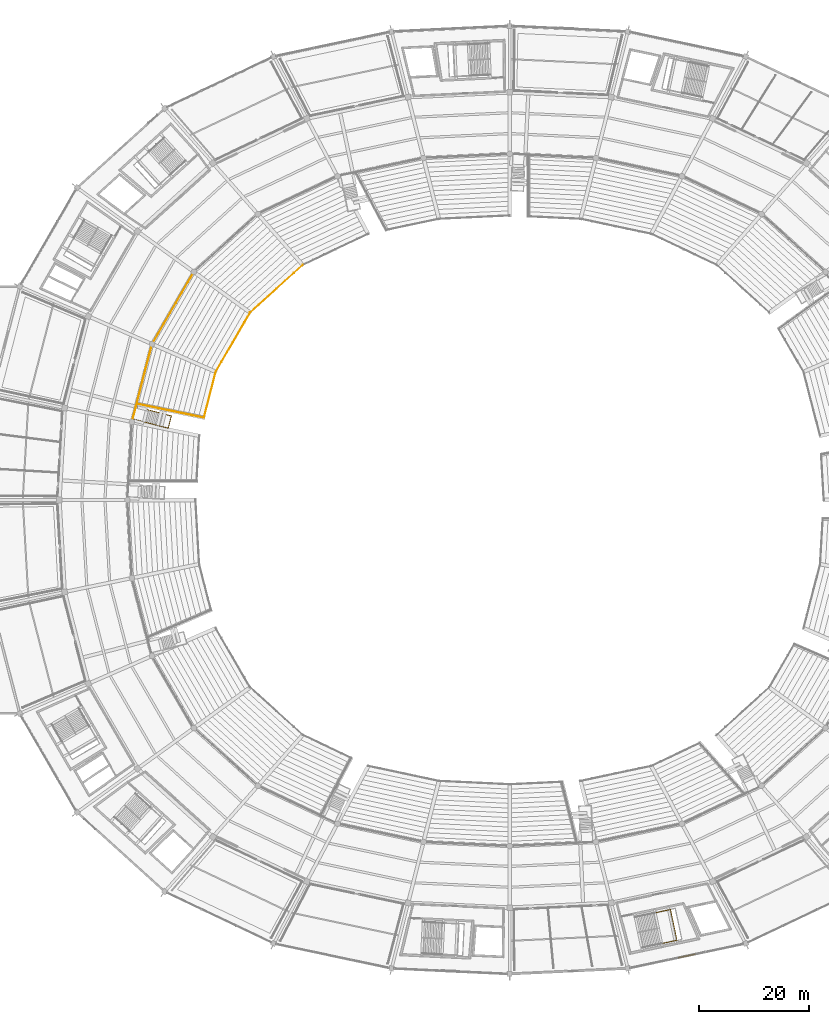
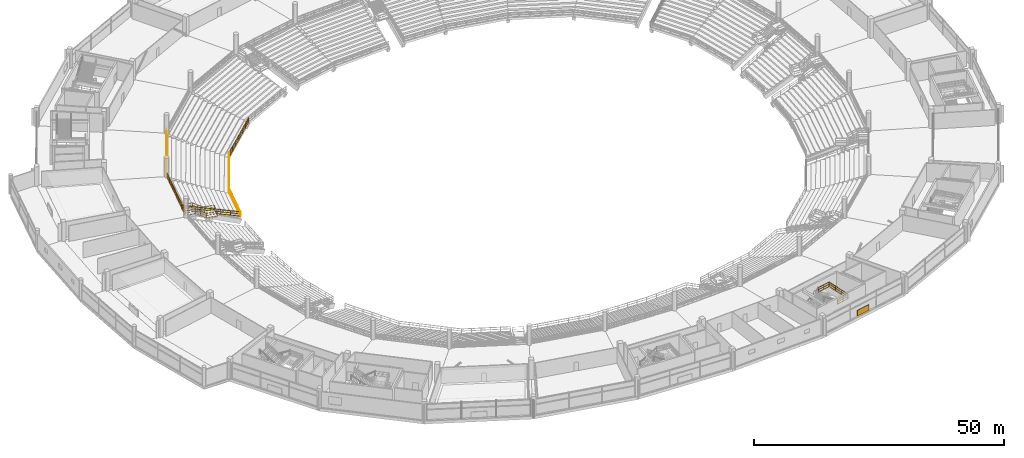
# One storey, part 147 of 156: 8 railings, 1 shading device.
"""IFC4 building model written with IfcOpenShell, lengths in metres."""

from ifc_helpers import new_model, si_unit, direction, frame, origin, origin_2d, place, context, subcontext, project, spatial, rectangle, extrude, material, type_object, element, save


model = new_model("IFC4")

# Units and contexts
model_context = context("Model", 3, precision=1e-05, world=origin(), true_north=direction((0.0, 1.0)))
body_context = subcontext(model_context, "Body", "Model", "MODEL_VIEW")
ifc_project = project(units=[si_unit("LENGTHUNIT", "METRE"), si_unit("AREAUNIT", "SQUARE_METRE"), si_unit("VOLUMEUNIT", "CUBIC_METRE"), si_unit("PLANEANGLEUNIT", "RADIAN"), si_unit("MASSUNIT", "GRAM", prefix="KILO")], contexts=[model_context])

# Site, building, storey
site_placement = place(None, origin())
site = spatial("IfcSite", under=ifc_project, at=site_placement, CompositionType="ELEMENT")
building_placement = place(site_placement, origin())
building = spatial("IfcBuilding", under=site, at=building_placement, Name="Kazemori Nagisa Stadium", CompositionType="ELEMENT")
storey_placement = place(building_placement, frame((0.0, 0.0, 5.780029296875)))
storey = spatial("IfcBuildingStorey", under=building, at=storey_placement, Name="L01", CompositionType="ELEMENT", Elevation=5.780029296875)

# Shading device
ifc_material_1 = material(Name="Aluminium 6063-T5 anodised", Category="aluminium")
shading_device_type = type_object("IfcShadingDeviceType", Name="Louvre_LV01", PredefinedType="JALOUSIE", material=ifc_material_1)
shading_device_placement = place(storey_placement, frame((155.1162109375, 19.2744140625, -0.010009765625), z_axis=(0.0, 0.0, 1.0), x_axis=(0.978344955407, 0.206981033502, 0.0)))
element("IfcShadingDevice", 1, at=shading_device_placement, inside=storey, type_object=shading_device_type, Name="Concourse ventilation louvre L01-B23", PredefinedType="JALOUSIE", context=body_context, shape_type="SweptSolid", body=[
    extrude(rectangle(XDim=3.199951171875, YDim=0.179931640625, at=origin_2d()), origin(), (0.0, 0.0, 1.0), 1.39990234375),
])

# Railings
ifc_material_2 = material(Name="Laminated safety glass and stainless steel SUS304", Category="steel")
railing_type_1 = type_object("IfcRailingType", Name="Rail_BAL", PredefinedType="BALUSTRADE", material=ifc_material_2)
railing_1_placement = place(storey_placement, frame((65.698486328125, 143.367431640625, 0.0)))
element("IfcRailing", 2, at=railing_1_placement, inside=storey, type_object=railing_type_1, Name="Concourse bowl balustrade L01-B12", PredefinedType="BALUSTRADE", context=body_context, shape_type="SweptSolid", body=[
    extrude(rectangle(XDim=0.050048828125, YDim=0.050048828125, at=origin_2d()), frame((0.0, 0.0, 1.09521484375), z_axis=(-0.501613453924, -0.865091869597, 0.0), x_axis=(0.865091869597, -0.501613453924, 0.0)), (0.0, 0.0, 1.0), 15.1201171875),
    extrude(rectangle(XDim=0.03759765625, YDim=0.03759765625, at=origin_2d()), frame((0.0, 0.0, 0.58251953125), z_axis=(-0.501613453924, -0.865091869597, 0.0), x_axis=(0.865091869597, -0.501613453924, 0.0)), (0.0, 0.0, 1.0), 15.1201171875),
    extrude(rectangle(XDim=0.03759765625, YDim=0.03759765625, at=origin_2d()), frame((0.0, 0.0, 0.02490234375), z_axis=(-0.501613453924, -0.865091869597, 0.0), x_axis=(0.865091869597, -0.501613453924, 0.0)), (0.0, 0.0, 1.0), 15.1201171875),
    extrude(rectangle(XDim=0.044921875, YDim=0.044921875, at=origin_2d()), origin(), (0.0, 0.0, 1.0), 1.070068359375),
    extrude(rectangle(XDim=0.044921875, YDim=0.044921875, at=origin_2d()), frame((-1.08349609375, -1.86865234375, 0.0)), (0.0, 0.0, 1.0), 1.070068359375),
    extrude(rectangle(XDim=0.044921875, YDim=0.044921875, at=origin_2d()), frame((-2.1669921875, -3.7373046875, 0.0)), (0.0, 0.0, 1.0), 1.070068359375),
    extrude(rectangle(XDim=0.044921875, YDim=0.044921875, at=origin_2d()), frame((-3.25048828125, -5.60595703125, 0.0)), (0.0, 0.0, 1.0), 1.070068359375),
    extrude(rectangle(XDim=0.044921875, YDim=0.044921875, at=origin_2d()), frame((-4.333984375, -7.474365234375, 0.0)), (0.0, 0.0, 1.0), 1.070068359375),
    extrude(rectangle(XDim=0.044921875, YDim=0.044921875, at=origin_2d()), frame((-5.41748046875, -9.343017578125, 0.0)), (0.0, 0.0, 1.0), 1.070068359375),
    extrude(rectangle(XDim=0.044921875, YDim=0.044921875, at=origin_2d()), frame((-6.5009765625, -11.211669921875, 0.0)), (0.0, 0.0, 1.0), 1.070068359375),
    extrude(rectangle(XDim=0.044921875, YDim=0.044921875, at=origin_2d()), frame((-7.58447265625, -13.080322265625, 0.0)), (0.0, 0.0, 1.0), 1.070068359375),
])
railing_2_placement = place(storey_placement, frame((58.114013671875, 130.287109375, 0.0)))
element("IfcRailing", 3, at=railing_2_placement, inside=storey, type_object=railing_type_1, Name="Concourse bowl balustrade L01-B13", PredefinedType="BALUSTRADE", context=body_context, shape_type="SweptSolid", body=[
    extrude(rectangle(XDim=0.050048828125, YDim=0.050048828125, at=origin_2d()), frame((0.0, 0.0, 1.09521484375), z_axis=(-0.249966896973, -0.968254383113, 0.0), x_axis=(0.968254383113, -0.249966896973, 0.0)), (0.0, 0.0, 1.0), 14.0400390625),
    extrude(rectangle(XDim=0.03759765625, YDim=0.03759765625, at=origin_2d()), frame((0.0, 0.0, 0.58251953125), z_axis=(-0.249966896973, -0.968254383113, 0.0), x_axis=(0.968254383113, -0.249966896973, 0.0)), (0.0, 0.0, 1.0), 14.0400390625),
    extrude(rectangle(XDim=0.03759765625, YDim=0.03759765625, at=origin_2d()), frame((0.0, 0.0, 0.02490234375), z_axis=(-0.249966896973, -0.968254383113, 0.0), x_axis=(0.968254383113, -0.249966896973, 0.0)), (0.0, 0.0, 1.0), 14.0400390625),
    extrude(rectangle(XDim=0.044921875, YDim=0.044921875, at=origin_2d()), origin(), (0.0, 0.0, 1.0), 1.070068359375),
    extrude(rectangle(XDim=0.044921875, YDim=0.044921875, at=origin_2d()), frame((-0.5849609375, -2.265625, 0.0)), (0.0, 0.0, 1.0), 1.070068359375),
    extrude(rectangle(XDim=0.044921875, YDim=0.044921875, at=origin_2d()), frame((-1.169921875, -4.531494140625, 0.0)), (0.0, 0.0, 1.0), 1.070068359375),
    extrude(rectangle(XDim=0.044921875, YDim=0.044921875, at=origin_2d()), frame((-1.7548828125, -6.797119140625, 0.0)), (0.0, 0.0, 1.0), 1.070068359375),
    extrude(rectangle(XDim=0.044921875, YDim=0.044921875, at=origin_2d()), frame((-2.339599609375, -9.062744140625, 0.0)), (0.0, 0.0, 1.0), 1.070068359375),
    extrude(rectangle(XDim=0.044921875, YDim=0.044921875, at=origin_2d()), frame((-2.924560546875, -11.32861328125, 0.0)), (0.0, 0.0, 1.0), 1.070068359375),
    extrude(rectangle(XDim=0.044921875, YDim=0.044921875, at=origin_2d()), frame((-3.509521484375, -13.59423828125, 0.0)), (0.0, 0.0, 1.0), 1.070068359375),
])
ifc_material_3 = material(Name="Galvanised powder-coated steel", Category="steel")
railing_type_2 = type_object("IfcRailingType", Name="Rail_GUARD", PredefinedType="GUARDRAIL", material=ifc_material_3)
railing_3_placement = place(storey_placement, frame((149.372314453125, 27.11376953125, 2.3798828125)))
element("IfcRailing", 4, at=railing_3_placement, inside=storey, type_object=railing_type_2, Name="Stair landing guard ST06-L01", PredefinedType="GUARDRAIL", context=body_context, shape_type="SweptSolid", body=[
    extrude(rectangle(XDim=0.050048828125, YDim=0.050048828125, at=origin_2d()), frame((0.0, 0.0, 1.09521484375), z_axis=(0.978349369565, 0.206960167837, 0.0), x_axis=(-0.206960167837, 0.978349369565, 0.0)), (0.0, 0.0, 1.0), 2.85009765625),
    extrude(rectangle(XDim=0.03759765625, YDim=0.03759765625, at=origin_2d()), frame((0.0, 0.0, 0.58251953125), z_axis=(0.978349369565, 0.206960167837, 0.0), x_axis=(-0.206960167837, 0.978349369565, 0.0)), (0.0, 0.0, 1.0), 2.85009765625),
    extrude(rectangle(XDim=0.03759765625, YDim=0.03759765625, at=origin_2d()), frame((0.0, 0.0, 0.02490234375), z_axis=(0.978349369565, 0.206960167837, 0.0), x_axis=(-0.206960167837, 0.978349369565, 0.0)), (0.0, 0.0, 1.0), 2.85009765625),
    extrude(rectangle(XDim=0.050048828125, YDim=0.050048828125, at=origin_2d()), frame((2.788330078125, 0.58984375, 1.09521484375), z_axis=(0.206968840618, -0.978347534884, 0.0), x_axis=(0.978347534884, 0.206968840618, 0.0)), (0.0, 0.0, 1.0), 5.699951171875),
    extrude(rectangle(XDim=0.03759765625, YDim=0.03759765625, at=origin_2d()), frame((2.788330078125, 0.58984375, 0.58251953125), z_axis=(0.206968840618, -0.978347534884, 0.0), x_axis=(0.978347534884, 0.206968840618, 0.0)), (0.0, 0.0, 1.0), 5.699951171875),
    extrude(rectangle(XDim=0.03759765625, YDim=0.03759765625, at=origin_2d()), frame((2.788330078125, 0.58984375, 0.02490234375), z_axis=(0.206968840618, -0.978347534884, 0.0), x_axis=(0.978347534884, 0.206968840618, 0.0)), (0.0, 0.0, 1.0), 5.699951171875),
    extrude(rectangle(XDim=0.050048828125, YDim=0.050048828125, at=origin_2d()), frame((3.968017578125, -4.986572265625, 1.09521484375), z_axis=(-0.978349369565, -0.206960167837, 0.0), x_axis=(0.206960167837, -0.978349369565, 0.0)), (0.0, 0.0, 1.0), 2.85009765625),
    extrude(rectangle(XDim=0.03759765625, YDim=0.03759765625, at=origin_2d()), frame((3.968017578125, -4.986572265625, 0.58251953125), z_axis=(-0.978349369565, -0.206960167837, 0.0), x_axis=(0.206960167837, -0.978349369565, 0.0)), (0.0, 0.0, 1.0), 2.85009765625),
    extrude(rectangle(XDim=0.03759765625, YDim=0.03759765625, at=origin_2d()), frame((3.968017578125, -4.986572265625, 0.02490234375), z_axis=(-0.978349369565, -0.206960167837, 0.0), x_axis=(0.206960167837, -0.978349369565, 0.0)), (0.0, 0.0, 1.0), 2.85009765625),
    extrude(rectangle(XDim=0.044921875, YDim=0.044921875, at=origin_2d()), origin(), (0.0, 0.0, 1.0), 1.070068359375),
    extrude(rectangle(XDim=0.044921875, YDim=0.044921875, at=origin_2d()), frame((1.39404296875, 0.294921875, 0.0)), (0.0, 0.0, 1.0), 1.070068359375),
    extrude(rectangle(XDim=0.044921875, YDim=0.044921875, at=origin_2d()), frame((2.788330078125, 0.58984375, 0.0)), (0.0, 0.0, 1.0), 1.070068359375),
    extrude(rectangle(XDim=0.044921875, YDim=0.044921875, at=origin_2d()), frame((3.181640625, -1.26904296875, 0.0)), (0.0, 0.0, 1.0), 1.070068359375),
    extrude(rectangle(XDim=0.044921875, YDim=0.044921875, at=origin_2d()), frame((3.57470703125, -3.127685546875, 0.0)), (0.0, 0.0, 1.0), 1.070068359375),
    extrude(rectangle(XDim=0.044921875, YDim=0.044921875, at=origin_2d()), frame((3.968017578125, -4.986572265625, 0.0)), (0.0, 0.0, 1.0), 1.070068359375),
    extrude(rectangle(XDim=0.044921875, YDim=0.044921875, at=origin_2d()), frame((2.57373046875, -5.281494140625, 0.0)), (0.0, 0.0, 1.0), 1.070068359375),
    extrude(rectangle(XDim=0.044921875, YDim=0.044921875, at=origin_2d()), frame((1.1796875, -5.576416015625, 0.0)), (0.0, 0.0, 1.0), 1.070068359375),
])
railing_4_placement = place(storey_placement, frame((54.6044921875, 116.69287109375, 0.0)))
element("IfcRailing", 5, at=railing_4_placement, inside=storey, type_object=railing_type_2, Name="Vomitory stair guard VL05", PredefinedType="GUARDRAIL", context=body_context, shape_type="SweptSolid", body=[
    extrude(rectangle(XDim=0.050048828125, YDim=0.050048828125, at=origin_2d()), frame((0.0, 0.0, 1.09521484375), z_axis=(0.968260989685, -0.249941304817, 0.0), x_axis=(0.249941304817, 0.968260989685, 0.0)), (0.0, 0.0, 1.0), 2.10009765625),
    extrude(rectangle(XDim=0.03759765625, YDim=0.03759765625, at=origin_2d()), frame((0.0, 0.0, 0.58251953125), z_axis=(0.968260989685, -0.249941304817, 0.0), x_axis=(0.249941304817, 0.968260989685, 0.0)), (0.0, 0.0, 1.0), 2.10009765625),
    extrude(rectangle(XDim=0.03759765625, YDim=0.03759765625, at=origin_2d()), frame((0.0, 0.0, 0.02490234375), z_axis=(0.968260989685, -0.249941304817, 0.0), x_axis=(0.249941304817, 0.968260989685, 0.0)), (0.0, 0.0, 1.0), 2.10009765625),
    extrude(rectangle(XDim=0.050048828125, YDim=0.050048828125, at=origin_2d()), frame((2.033447265625, -0.52490234375, 1.09521484375), z_axis=(0.81552459517, -0.21057589009, -0.539052343642), x_axis=(0.25000928854, 0.968243438214, 0.0)), (0.0, 0.0, 1.0), 2.671142578125),
    extrude(rectangle(XDim=0.03759765625, YDim=0.03759765625, at=origin_2d()), frame((2.033447265625, -0.52490234375, 0.58251953125), z_axis=(0.81552459517, -0.21057589009, -0.539052343642), x_axis=(0.25000928854, 0.968243438214, 0.0)), (0.0, 0.0, 1.0), 2.671142578125),
    extrude(rectangle(XDim=0.03759765625, YDim=0.03759765625, at=origin_2d()), frame((2.033447265625, -0.52490234375, 0.02490234375), z_axis=(0.81552459517, -0.21057589009, -0.539052343642), x_axis=(0.25000928854, 0.968243438214, 0.0)), (0.0, 0.0, 1.0), 2.671142578125),
    extrude(rectangle(XDim=0.050048828125, YDim=0.050048828125, at=origin_2d()), frame((4.2119140625, -1.08740234375, -0.3447265625), z_axis=(0.968263359366, -0.249932124605, 0.0), x_axis=(0.249932124605, 0.968263359366, 0.0)), (0.0, 0.0, 1.0), 2.320068359375),
    extrude(rectangle(XDim=0.03759765625, YDim=0.03759765625, at=origin_2d()), frame((4.2119140625, -1.08740234375, -0.857421875), z_axis=(0.968263359366, -0.249932124605, 0.0), x_axis=(0.249932124605, 0.968263359366, 0.0)), (0.0, 0.0, 1.0), 2.320068359375),
    extrude(rectangle(XDim=0.03759765625, YDim=0.03759765625, at=origin_2d()), frame((4.2119140625, -1.08740234375, -1.4150390625), z_axis=(0.968263359366, -0.249932124605, 0.0), x_axis=(0.249932124605, 0.968263359366, 0.0)), (0.0, 0.0, 1.0), 2.320068359375),
    extrude(rectangle(XDim=0.050048828125, YDim=0.050048828125, at=origin_2d()), frame((6.458251953125, -1.667236328125, -0.3447265625), z_axis=(0.249971114664, 0.968253294254, 0.0), x_axis=(-0.968253294254, 0.249971114664, 0.0)), (0.0, 0.0, 1.0), 2.300048828125),
    extrude(rectangle(XDim=0.03759765625, YDim=0.03759765625, at=origin_2d()), frame((6.458251953125, -1.667236328125, -0.857421875), z_axis=(0.249971114664, 0.968253294254, 0.0), x_axis=(-0.968253294254, 0.249971114664, 0.0)), (0.0, 0.0, 1.0), 2.300048828125),
    extrude(rectangle(XDim=0.03759765625, YDim=0.03759765625, at=origin_2d()), frame((6.458251953125, -1.667236328125, -1.4150390625), z_axis=(0.249971114664, 0.968253294254, 0.0), x_axis=(-0.968253294254, 0.249971114664, 0.0)), (0.0, 0.0, 1.0), 2.300048828125),
    extrude(rectangle(XDim=0.050048828125, YDim=0.050048828125, at=origin_2d()), frame((7.033203125, 0.559814453125, -0.3447265625), z_axis=(-0.968263359366, 0.249932124605, 0.0), x_axis=(-0.249932124605, -0.968263359366, 0.0)), (0.0, 0.0, 1.0), 2.320068359375),
    extrude(rectangle(XDim=0.03759765625, YDim=0.03759765625, at=origin_2d()), frame((7.033203125, 0.559814453125, -0.857421875), z_axis=(-0.968263359366, 0.249932124605, 0.0), x_axis=(-0.249932124605, -0.968263359366, 0.0)), (0.0, 0.0, 1.0), 2.320068359375),
    extrude(rectangle(XDim=0.03759765625, YDim=0.03759765625, at=origin_2d()), frame((7.033203125, 0.559814453125, -1.4150390625), z_axis=(-0.968263359366, 0.249932124605, 0.0), x_axis=(-0.249932124605, -0.968263359366, 0.0)), (0.0, 0.0, 1.0), 2.320068359375),
    extrude(rectangle(XDim=0.050048828125, YDim=0.050048828125, at=origin_2d()), frame((4.786865234375, 1.1396484375, -0.3447265625), z_axis=(-0.815555201991, 0.210560195584, 0.53901216734), x_axis=(-0.249983023972, -0.968250219585, 0.0)), (0.0, 0.0, 1.0), 2.67138671875),
    extrude(rectangle(XDim=0.03759765625, YDim=0.03759765625, at=origin_2d()), frame((4.786865234375, 1.1396484375, -0.857421875), z_axis=(-0.815555201991, 0.210560195584, 0.53901216734), x_axis=(-0.249983023972, -0.968250219585, 0.0)), (0.0, 0.0, 1.0), 2.67138671875),
    extrude(rectangle(XDim=0.03759765625, YDim=0.03759765625, at=origin_2d()), frame((4.786865234375, 1.1396484375, -1.4150390625), z_axis=(-0.815555201991, 0.210560195584, 0.53901216734), x_axis=(-0.249983023972, -0.968250219585, 0.0)), (0.0, 0.0, 1.0), 2.67138671875),
    extrude(rectangle(XDim=0.050048828125, YDim=0.050048828125, at=origin_2d()), frame((2.608154296875, 1.7021484375, 1.09521484375), z_axis=(-0.968253726135, 0.249969441785, 0.0), x_axis=(-0.249969441785, -0.968253726135, 0.0)), (0.0, 0.0, 1.0), 2.099853515625),
    extrude(rectangle(XDim=0.03759765625, YDim=0.03759765625, at=origin_2d()), frame((2.608154296875, 1.7021484375, 0.58251953125), z_axis=(-0.968253726135, 0.249969441785, 0.0), x_axis=(-0.249969441785, -0.968253726135, 0.0)), (0.0, 0.0, 1.0), 2.099853515625),
    extrude(rectangle(XDim=0.03759765625, YDim=0.03759765625, at=origin_2d()), frame((2.608154296875, 1.7021484375, 0.02490234375), z_axis=(-0.968253726135, 0.249969441785, 0.0), x_axis=(-0.249969441785, -0.968253726135, 0.0)), (0.0, 0.0, 1.0), 2.099853515625),
    extrude(rectangle(XDim=0.044921875, YDim=0.044921875, at=origin_2d()), origin(), (0.0, 0.0, 1.0), 1.070068359375),
    extrude(rectangle(XDim=0.044921875, YDim=0.044921875, at=origin_2d()), frame((2.033447265625, -0.52490234375, 0.0)), (0.0, 0.0, 1.0), 1.070068359375),
    extrude(rectangle(XDim=0.044921875, YDim=0.044921875, at=origin_2d()), frame((3.12255859375, -0.80615234375, -0.719970703125)), (0.0, 0.0, 1.0), 1.070068359375),
    extrude(rectangle(XDim=0.044921875, YDim=0.044921875, at=origin_2d()), frame((4.2119140625, -1.08740234375, -1.43994140625)), (0.0, 0.0, 1.0), 1.070068359375),
    extrude(rectangle(XDim=0.044921875, YDim=0.044921875, at=origin_2d()), frame((6.458251953125, -1.667236328125, -1.43994140625)), (0.0, 0.0, 1.0), 1.070068359375),
    extrude(rectangle(XDim=0.044921875, YDim=0.044921875, at=origin_2d()), frame((7.033203125, 0.559814453125, -1.43994140625)), (0.0, 0.0, 1.0), 1.070068359375),
    extrude(rectangle(XDim=0.044921875, YDim=0.044921875, at=origin_2d()), frame((4.786865234375, 1.1396484375, -1.43994140625)), (0.0, 0.0, 1.0), 1.070068359375),
    extrude(rectangle(XDim=0.044921875, YDim=0.044921875, at=origin_2d()), frame((3.697509765625, 1.4208984375, -0.719970703125)), (0.0, 0.0, 1.0), 1.070068359375),
    extrude(rectangle(XDim=0.044921875, YDim=0.044921875, at=origin_2d()), frame((2.608154296875, 1.7021484375, 0.0)), (0.0, 0.0, 1.0), 1.070068359375),
    extrude(rectangle(XDim=0.044921875, YDim=0.044921875, at=origin_2d()), frame((0.574951171875, 2.22705078125, 0.0)), (0.0, 0.0, 1.0), 1.070068359375),
])
railing_5_placement = place(storey_placement, frame((85.441162109375, 144.635498046875, -4.919921875)))
element("IfcRailing", 6, at=railing_5_placement, inside=storey, type_object=railing_type_2, Name="Lower tier pitch-side crowd barrier B11", PredefinedType="GUARDRAIL", context=body_context, shape_type="SweptSolid", body=[
    extrude(rectangle(XDim=0.050048828125, YDim=0.050048828125, at=origin_2d()), frame((0.0, 0.0, 1.09521484375), z_axis=(-0.741338850776, -0.67113091743, 0.0), x_axis=(0.67113091743, -0.741338850776, 0.0)), (0.0, 0.0, 1.0), 12.866455078125),
    extrude(rectangle(XDim=0.03759765625, YDim=0.03759765625, at=origin_2d()), frame((0.0, 0.0, 0.58251953125), z_axis=(-0.741338850776, -0.67113091743, 0.0), x_axis=(0.67113091743, -0.741338850776, 0.0)), (0.0, 0.0, 1.0), 12.866455078125),
    extrude(rectangle(XDim=0.03759765625, YDim=0.03759765625, at=origin_2d()), frame((0.0, 0.0, 0.02490234375), z_axis=(-0.741338850776, -0.67113091743, 0.0), x_axis=(0.67113091743, -0.741338850776, 0.0)), (0.0, 0.0, 1.0), 12.866455078125),
    extrude(rectangle(XDim=0.044921875, YDim=0.044921875, at=origin_2d()), origin(), (0.0, 0.0, 1.0), 1.070068359375),
    extrude(rectangle(XDim=0.044921875, YDim=0.044921875, at=origin_2d()), frame((-1.58984375, -1.439208984375, 0.0)), (0.0, 0.0, 1.0), 1.070068359375),
    extrude(rectangle(XDim=0.044921875, YDim=0.044921875, at=origin_2d()), frame((-3.179443359375, -2.87841796875, 0.0)), (0.0, 0.0, 1.0), 1.070068359375),
    extrude(rectangle(XDim=0.044921875, YDim=0.044921875, at=origin_2d()), frame((-4.76904296875, -4.3173828125, 0.0)), (0.0, 0.0, 1.0), 1.070068359375),
    extrude(rectangle(XDim=0.044921875, YDim=0.044921875, at=origin_2d()), frame((-6.35888671875, -5.756591796875, 0.0)), (0.0, 0.0, 1.0), 1.070068359375),
    extrude(rectangle(XDim=0.044921875, YDim=0.044921875, at=origin_2d()), frame((-7.94873046875, -7.19580078125, 0.0)), (0.0, 0.0, 1.0), 1.070068359375),
    extrude(rectangle(XDim=0.044921875, YDim=0.044921875, at=origin_2d()), frame((-9.538330078125, -8.635009765625, 0.0)), (0.0, 0.0, 1.0), 1.070068359375),
])
railing_6_placement = place(storey_placement, frame((75.90283203125, 136.00048828125, -4.919921875)))
element("IfcRailing", 7, at=railing_6_placement, inside=storey, type_object=railing_type_2, Name="Lower tier pitch-side crowd barrier B12", PredefinedType="GUARDRAIL", context=body_context, shape_type="SweptSolid", body=[
    extrude(rectangle(XDim=0.050048828125, YDim=0.050048828125, at=origin_2d()), frame((0.0, 0.0, 1.09521484375), z_axis=(-0.501625475419, -0.865084898961, 0.0), x_axis=(0.865084898961, -0.501625475419, 0.0)), (0.0, 0.0, 1.0), 12.427490234375),
    extrude(rectangle(XDim=0.03759765625, YDim=0.03759765625, at=origin_2d()), frame((0.0, 0.0, 0.58251953125), z_axis=(-0.501625475419, -0.865084898961, 0.0), x_axis=(0.865084898961, -0.501625475419, 0.0)), (0.0, 0.0, 1.0), 12.427490234375),
    extrude(rectangle(XDim=0.03759765625, YDim=0.03759765625, at=origin_2d()), frame((0.0, 0.0, 0.02490234375), z_axis=(-0.501625475419, -0.865084898961, 0.0), x_axis=(0.865084898961, -0.501625475419, 0.0)), (0.0, 0.0, 1.0), 12.427490234375),
    extrude(rectangle(XDim=0.044921875, YDim=0.044921875, at=origin_2d()), origin(), (0.0, 0.0, 1.0), 1.070068359375),
    extrude(rectangle(XDim=0.044921875, YDim=0.044921875, at=origin_2d()), frame((-1.0390625, -1.791748046875, 0.0)), (0.0, 0.0, 1.0), 1.070068359375),
    extrude(rectangle(XDim=0.044921875, YDim=0.044921875, at=origin_2d()), frame((-2.077880859375, -3.58349609375, 0.0)), (0.0, 0.0, 1.0), 1.070068359375),
    extrude(rectangle(XDim=0.044921875, YDim=0.044921875, at=origin_2d()), frame((-3.116943359375, -5.37548828125, 0.0)), (0.0, 0.0, 1.0), 1.070068359375),
    extrude(rectangle(XDim=0.044921875, YDim=0.044921875, at=origin_2d()), frame((-4.156005859375, -7.167236328125, 0.0)), (0.0, 0.0, 1.0), 1.070068359375),
    extrude(rectangle(XDim=0.044921875, YDim=0.044921875, at=origin_2d()), frame((-5.19482421875, -8.958984375, 0.0)), (0.0, 0.0, 1.0), 1.070068359375),
    extrude(rectangle(XDim=0.044921875, YDim=0.044921875, at=origin_2d()), frame((-6.23388671875, -10.750732421875, 0.0)), (0.0, 0.0, 1.0), 1.070068359375),
])
railing_7_placement = place(storey_placement, frame((69.6689453125, 125.249755859375, -4.919921875)))
element("IfcRailing", 8, at=railing_7_placement, inside=storey, type_object=railing_type_2, Name="Lower tier pitch-side crowd barrier B13", PredefinedType="GUARDRAIL", context=body_context, shape_type="SweptSolid", body=[
    extrude(rectangle(XDim=0.050048828125, YDim=0.050048828125, at=origin_2d()), frame((0.0, 0.0, 1.09521484375), z_axis=(-0.249943332675, -0.968260466223, 0.0), x_axis=(0.968260466223, -0.249943332675, 0.0)), (0.0, 0.0, 1.0), 8.591796875),
    extrude(rectangle(XDim=0.03759765625, YDim=0.03759765625, at=origin_2d()), frame((0.0, 0.0, 0.58251953125), z_axis=(-0.249943332675, -0.968260466223, 0.0), x_axis=(0.968260466223, -0.249943332675, 0.0)), (0.0, 0.0, 1.0), 8.591796875),
    extrude(rectangle(XDim=0.03759765625, YDim=0.03759765625, at=origin_2d()), frame((0.0, 0.0, 0.02490234375), z_axis=(-0.249943332675, -0.968260466223, 0.0), x_axis=(0.968260466223, -0.249943332675, 0.0)), (0.0, 0.0, 1.0), 8.591796875),
    extrude(rectangle(XDim=0.044921875, YDim=0.044921875, at=origin_2d()), origin(), (0.0, 0.0, 1.0), 1.070068359375),
    extrude(rectangle(XDim=0.044921875, YDim=0.044921875, at=origin_2d()), frame((-0.536865234375, -2.079833984375, 0.0)), (0.0, 0.0, 1.0), 1.070068359375),
    extrude(rectangle(XDim=0.044921875, YDim=0.044921875, at=origin_2d()), frame((-1.07373046875, -4.15966796875, 0.0)), (0.0, 0.0, 1.0), 1.070068359375),
    extrude(rectangle(XDim=0.044921875, YDim=0.044921875, at=origin_2d()), frame((-1.610595703125, -6.2392578125, 0.0)), (0.0, 0.0, 1.0), 1.070068359375),
    extrude(rectangle(XDim=0.044921875, YDim=0.044921875, at=origin_2d()), frame((-2.1474609375, -8.319091796875, 0.0)), (0.0, 0.0, 1.0), 1.070068359375),
])
railing_8_placement = place(storey_placement, frame((67.521484375, 116.9306640625, -4.919921875)))
element("IfcRailing", 9, at=railing_8_placement, inside=storey, type_object=railing_type_2, Name="Lower tier vomitory aisle guard B13", PredefinedType="GUARDRAIL", context=body_context, shape_type="SweptSolid", body=[
    extrude(rectangle(XDim=0.050048828125, YDim=0.050048828125, at=origin_2d()), frame((0.0, 0.0, 1.09521484375), z_axis=(-0.92530199633, 0.191187123827, 0.327511372736), x_axis=(-0.202347127025, -0.979313861938, 0.0)), (0.0, 0.0, 1.0), 13.18994140625),
    extrude(rectangle(XDim=0.03759765625, YDim=0.03759765625, at=origin_2d()), frame((0.0, 0.0, 0.58251953125), z_axis=(-0.92530199633, 0.191187123827, 0.327511372736), x_axis=(-0.202347127025, -0.979313861938, 0.0)), (0.0, 0.0, 1.0), 13.18994140625),
    extrude(rectangle(XDim=0.03759765625, YDim=0.03759765625, at=origin_2d()), frame((0.0, 0.0, 0.02490234375), z_axis=(-0.92530199633, 0.191187123827, 0.327511372736), x_axis=(-0.202347127025, -0.979313861938, 0.0)), (0.0, 0.0, 1.0), 13.18994140625),
    extrude(rectangle(XDim=0.044921875, YDim=0.044921875, at=origin_2d()), origin(), (0.0, 0.0, 1.0), 1.070068359375),
    extrude(rectangle(XDim=0.044921875, YDim=0.044921875, at=origin_2d()), frame((-2.0341796875, 0.42041015625, 0.719970703125)), (0.0, 0.0, 1.0), 1.070068359375),
    extrude(rectangle(XDim=0.044921875, YDim=0.044921875, at=origin_2d()), frame((-4.068115234375, 0.840576171875, 1.43994140625)), (0.0, 0.0, 1.0), 1.070068359375),
    extrude(rectangle(XDim=0.044921875, YDim=0.044921875, at=origin_2d()), frame((-6.102294921875, 1.2607421875, 2.159912109375)), (0.0, 0.0, 1.0), 1.070068359375),
    extrude(rectangle(XDim=0.044921875, YDim=0.044921875, at=origin_2d()), frame((-8.136474609375, 1.68115234375, 2.8798828125)), (0.0, 0.0, 1.0), 1.070068359375),
    extrude(rectangle(XDim=0.044921875, YDim=0.044921875, at=origin_2d()), frame((-10.17041015625, 2.1015625, 3.599853515625)), (0.0, 0.0, 1.0), 1.070068359375),
    extrude(rectangle(XDim=0.044921875, YDim=0.044921875, at=origin_2d()), frame((-12.20458984375, 2.521728515625, 4.31982421875)), (0.0, 0.0, 1.0), 1.070068359375),
])

save(model, "model.ifc")
